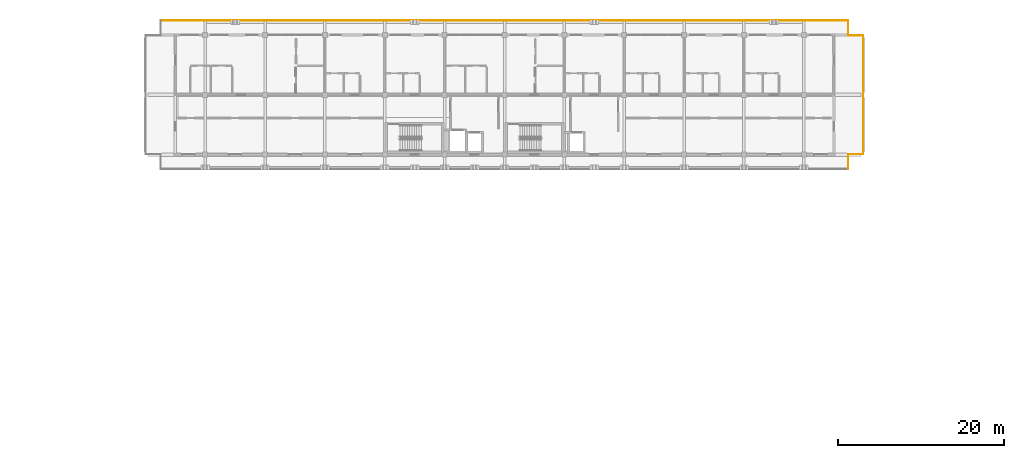
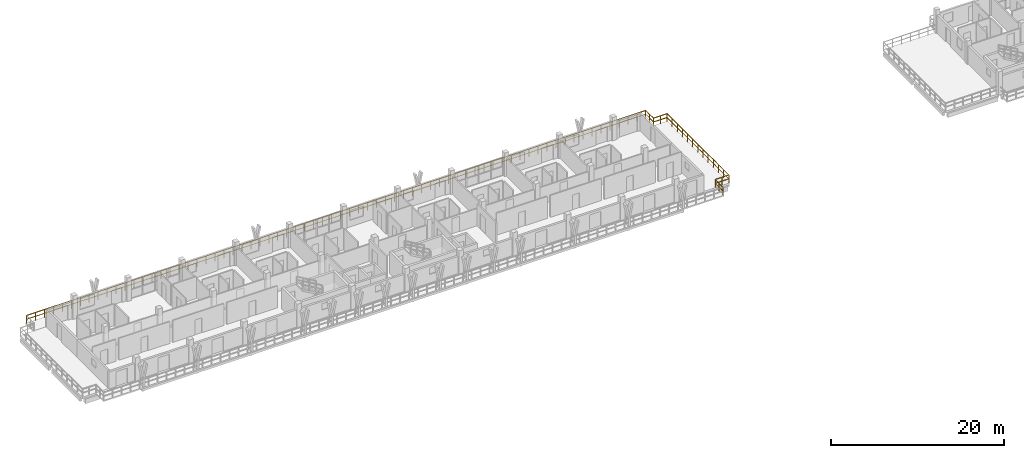
# One storey, part 53 of 60: 6 railings.
"""IFC4 building model written with IfcOpenShell, lengths in metres."""

import ifcopenshell
import ifcopenshell.guid

model = None  # the IFC model being written
_history = None  # IfcOwnerHistory: only IFC2X3 demands one
_inside = {}  # id of a spatial element -> (the spatial element, [elements in it])
_under = {}  # id of a project, library or spatial element -> (it, [spatial elements below it])
_declared = {}  # id of a project -> (the project, [libraries it declares])
_typed = {}  # id of a type object -> (the type object, [elements of that type])
_made_of = {}  # id of a material, layer set ... -> (it, [elements and type objects made of it])


def new_model(schema):
    """Start an empty IFC model of exactly this schema.

    Asked for "IFC4X3", IfcOpenShell would pick the latest addendum, in which some entities
    have other attributes; the version numbers below select the first issue.
    IFC2X3 requires an IfcOwnerHistory on every rooted entity: one is made here for all.
    """
    global model, _history
    if schema == "IFC4X3":
        model = ifcopenshell.file(schema_version=(4, 3, 0, 0))
    else:
        model = ifcopenshell.file(schema=schema)
    _inside.clear()
    _under.clear()
    _declared.clear()
    _typed.clear()
    _made_of.clear()
    _history = None
    if model.schema == "IFC2X3":
        org = make("IfcOrganization", Name="unknown")
        user = make(
            "IfcPersonAndOrganization",
            ThePerson=make("IfcPerson", FamilyName="unknown"),
            TheOrganization=org,
        )
        app = make(
            "IfcApplication",
            ApplicationDeveloper=org,
            Version="unknown",
            ApplicationFullName="unknown",
            ApplicationIdentifier="unknown",
        )
        _history = make(
            "IfcOwnerHistory",
            OwningUser=user,
            OwningApplication=app,
            ChangeAction="ADDED",
            CreationDate=0,
        )
    return model


def make(cls, **values):
    """One entity of the class cls with the attributes given. An attribute that is None is left unset."""
    return model.create_entity(
        cls, **{name: value for name, value in values.items() if value is not None}
    )


def rooted(cls, **values):
    """An entity with a GlobalId (a new one), such as an element, a storey or a relation."""
    return make(cls, GlobalId=ifcopenshell.guid.new(), OwnerHistory=_history, **values)


def si_unit(unit_type, name, prefix=None):
    """IfcSIUnit, for example si_unit("LENGTHUNIT", "METRE", prefix="MILLI")."""
    return make("IfcSIUnit", UnitType=unit_type, Prefix=prefix, Name=name)


def assignment(units):
    """IfcUnitAssignment: the units of a project."""
    return None if units is None else make("IfcUnitAssignment", Units=units)


def point(xyz):
    """IfcCartesianPoint."""
    return None if xyz is None else make("IfcCartesianPoint", Coordinates=xyz)


def direction(xyz):
    """IfcDirection."""
    return None if xyz is None else make("IfcDirection", DirectionRatios=xyz)


def frame(location, z_axis=None, x_axis=None):
    """IfcAxis2Placement3D, a coordinate frame: its origin and axes. An axis left out is left unset."""
    return make(
        "IfcAxis2Placement3D",
        Location=point(location),
        Axis=direction(z_axis),
        RefDirection=direction(x_axis),
    )


def frame_2d(location, x_axis=None):
    """IfcAxis2Placement2D, a coordinate frame in the plane: its origin and x axis."""
    return make(
        "IfcAxis2Placement2D", Location=point(location), RefDirection=direction(x_axis)
    )


def origin():
    """The frame at (0, 0, 0) with its axes left unset."""
    return frame((0.0, 0.0, 0.0))


def origin_2d():
    """The frame at (0, 0) in the plane with its x axis left unset."""
    return frame_2d((0.0, 0.0))


def place(relative_to, where):
    """IfcLocalPlacement: puts the frame where relative to a parent placement (None: the world)."""
    return make(
        "IfcLocalPlacement", PlacementRelTo=relative_to, RelativePlacement=where
    )


def context(
    kind, dimensions, precision=None, world=None, true_north=None, identifier=None
):
    """IfcGeometricRepresentationContext, for example the 3D "Model" context."""
    return make(
        "IfcGeometricRepresentationContext",
        ContextIdentifier=identifier,
        ContextType=kind,
        CoordinateSpaceDimension=dimensions,
        Precision=precision,
        WorldCoordinateSystem=world,
        TrueNorth=true_north,
    )


def subcontext(parent, identifier, kind, view, scale=None):
    """IfcGeometricRepresentationSubContext, for example "Body" below "Model"."""
    return make(
        "IfcGeometricRepresentationSubContext",
        ContextIdentifier=identifier,
        ContextType=kind,
        ParentContext=parent,
        TargetScale=scale,
        TargetView=view,
    )


def project(units=None, contexts=None):
    """IfcProject with its units and contexts."""
    return rooted(
        "IfcProject",
        Name="project",
        RepresentationContexts=contexts,
        UnitsInContext=assignment(units),
    )


def spatial(cls, under=None, at=None, **own):
    """A site, building, storey or space (cls), placed at a placement, below another one or the project."""
    s = rooted(cls, ObjectPlacement=at, **own)
    if under is not None:
        _under.setdefault(under.id(), (under, []))[1].append(s)
    return s


def profile(cls, at=None, kind="AREA", **sizes):
    """A parametric profile (cls). Its sizes go by their IFC names, for example OverallWidth=200.0."""
    return make(cls, ProfileType=kind, Position=at, **sizes)


def rectangle(**sizes):
    """IfcRectangleProfileDef."""
    return profile("IfcRectangleProfileDef", **sizes)


def extrude(swept, where, along, depth):
    """IfcExtrudedAreaSolid: the profile swept, set in the frame where, extruded along a direction by depth."""
    return make(
        "IfcExtrudedAreaSolid",
        SweptArea=swept,
        Position=where,
        ExtrudedDirection=direction(along),
        Depth=depth,
    )


def shape(context_of_items, identifier, shape_type, items):
    """IfcShapeRepresentation: the items that make up one representation, for example the "Body"."""
    return make(
        "IfcShapeRepresentation",
        ContextOfItems=context_of_items,
        RepresentationIdentifier=identifier,
        RepresentationType=shape_type,
        Items=items,
    )


def material(Name=None, Category=None):
    """IfcMaterial."""
    return make("IfcMaterial", Name=Name, Category=Category)


def made_of(thing, what):
    """Note that an element or type object is made of a material, layer set ...; save() writes the relation."""
    if what is not None:
        _made_of.setdefault(what.id(), (what, []))[1].append(thing)
    return thing


def type_object(cls, material=None, **own):
    """A type object (cls), such as IfcWallType, which elements share."""
    return made_of(rooted(cls, **own), material)


def element(
    cls,
    number,
    at=None,
    inside=None,
    cuts=None,
    type_object=None,
    material=None,
    context=None,
    identifier="Body",
    shape_type=None,
    held_by="IfcProductDefinitionShape",
    body=None,
    shapes=None,
    **own,
):
    """One element of the class cls, such as IfcWall. Its Tag is "e" and its number.

    at: its placement. inside: the storey or other place that contains it. cuts: it is an
    opening in that element (IfcRelVoidsElement). A single representation is given by context,
    identifier, shape_type and body (its items); several are given by shapes. held_by: the class
    of the entity that holds the representations. save() writes the other relations.
    """
    e = rooted(cls, Tag="e%d" % number, ObjectPlacement=at, **own)
    if body is not None:
        shapes = [shape(context, identifier, shape_type, body)]
    if shapes is not None:
        e.Representation = make(held_by, Representations=shapes)
    if inside is not None:
        _inside.setdefault(inside.id(), (inside, []))[1].append(e)
    if cuts is not None:
        rooted(
            "IfcRelVoidsElement", RelatingBuildingElement=cuts, RelatedOpeningElement=e
        )
    if type_object is not None:
        _typed.setdefault(type_object.id(), (type_object, []))[1].append(e)
    return made_of(e, material)


def aggregate(whole, parts):
    """IfcRelAggregates: a whole, such as a stair, and the parts it consists of."""
    return rooted("IfcRelAggregates", RelatingObject=whole, RelatedObjects=parts)


def save(model, path):
    """Write the relations noted so far, then the file.

    IfcRelAggregates (storeys below a building ...), IfcRelContainedInSpatialStructure (elements
    in a storey), IfcRelDefinesByType, IfcRelAssociatesMaterial and IfcRelDeclares: one each for
    every whole, place, type object, material and project.
    """
    for whole, parts in _under.values():
        aggregate(whole, parts)
    for where, things in _inside.values():
        rooted(
            "IfcRelContainedInSpatialStructure",
            RelatedElements=things,
            RelatingStructure=where,
        )
    for kind, things in _typed.values():
        rooted("IfcRelDefinesByType", RelatedObjects=things, RelatingType=kind)
    for what, things in _made_of.values():
        rooted("IfcRelAssociatesMaterial", RelatedObjects=things, RelatingMaterial=what)
    for by, libraries in _declared.values():
        rooted("IfcRelDeclares", RelatingContext=by, RelatedDefinitions=libraries)
    model.write(path)


model = new_model("IFC4")

# Units and contexts
model_context = context("Model", 3, precision=1e-05, world=origin(), true_north=direction((0.0, 1.0)))
body_context = subcontext(model_context, "Body", "Model", "MODEL_VIEW")
ifc_project = project(units=[si_unit("LENGTHUNIT", "METRE"), si_unit("AREAUNIT", "SQUARE_METRE"), si_unit("VOLUMEUNIT", "CUBIC_METRE"), si_unit("PLANEANGLEUNIT", "RADIAN"), si_unit("MASSUNIT", "GRAM", prefix="KILO")], contexts=[model_context])

# Site, building, storey
site_placement = place(None, origin())
site = spatial("IfcSite", under=ifc_project, at=site_placement, CompositionType="ELEMENT")
building_placement = place(site_placement, origin())
building = spatial("IfcBuilding", under=site, at=building_placement, Name="Suanplinth Sawtooth Commons", CompositionType="ELEMENT")
storey_placement = place(building_placement, frame((0.0, 0.0, 31.5)))
storey = spatial("IfcBuildingStorey", under=building, at=storey_placement, Name="L09", CompositionType="ELEMENT", Elevation=31.5)

# Railings
ifc_material = material(Name="Powder-coated galvanized steel", Category="steel")
railing_type = type_object("IfcRailingType", Name="GR-01", PredefinedType="BALUSTRADE", material=ifc_material)
railing_1_placement = place(storey_placement, frame((16.260009765625, 124.139892578125, 0.0)))
element("IfcRailing", 1, at=railing_1_placement, inside=storey, type_object=railing_type, Name="L09 Block A Perimeter Balustrade 5", PredefinedType="BALUSTRADE", context=body_context, shape_type="SweptSolid", body=[
    extrude(rectangle(XDim=0.048095703125, YDim=0.048095703125, at=origin_2d()), frame((0.0, 0.0, 1.09619140625), z_axis=(1.0, 0.0, 0.0), x_axis=(0.0, 1.0, 0.0)), (0.0, 0.0, 1.0), 82.679931640625),
    extrude(rectangle(XDim=0.03369140625, YDim=0.03369140625, at=origin_2d()), frame((0.0, 0.0, 0.56005859375), z_axis=(1.0, 0.0, 0.0), x_axis=(0.0, 1.0, 0.0)), (0.0, 0.0, 1.0), 82.679931640625),
    extrude(rectangle(XDim=0.0419921875, YDim=0.0419921875, at=origin_2d()), origin(), (0.0, 0.0, 1.0), 1.072021484375),
    extrude(rectangle(XDim=0.0419921875, YDim=0.0419921875, at=origin_2d()), frame((1.1982421875, 0.0, 0.0)), (0.0, 0.0, 1.0), 1.072021484375),
    extrude(rectangle(XDim=0.0419921875, YDim=0.0419921875, at=origin_2d()), frame((2.396484375, 0.0, 0.0)), (0.0, 0.0, 1.0), 1.072021484375),
    extrude(rectangle(XDim=0.0419921875, YDim=0.0419921875, at=origin_2d()), frame((3.5947265625, 0.0, 0.0)), (0.0, 0.0, 1.0), 1.072021484375),
    extrude(rectangle(XDim=0.0419921875, YDim=0.0419921875, at=origin_2d()), frame((4.79296875, 0.0, 0.0)), (0.0, 0.0, 1.0), 1.072021484375),
    extrude(rectangle(XDim=0.0419921875, YDim=0.0419921875, at=origin_2d()), frame((5.9912109375, 0.0, 0.0)), (0.0, 0.0, 1.0), 1.072021484375),
    extrude(rectangle(XDim=0.0419921875, YDim=0.0419921875, at=origin_2d()), frame((7.189453125, 0.0, 0.0)), (0.0, 0.0, 1.0), 1.072021484375),
    extrude(rectangle(XDim=0.0419921875, YDim=0.0419921875, at=origin_2d()), frame((8.387939453125, 0.0, 0.0)), (0.0, 0.0, 1.0), 1.072021484375),
    extrude(rectangle(XDim=0.0419921875, YDim=0.0419921875, at=origin_2d()), frame((9.586181640625, 0.0, 0.0)), (0.0, 0.0, 1.0), 1.072021484375),
    extrude(rectangle(XDim=0.0419921875, YDim=0.0419921875, at=origin_2d()), frame((10.784423828125, 0.0, 0.0)), (0.0, 0.0, 1.0), 1.072021484375),
    extrude(rectangle(XDim=0.0419921875, YDim=0.0419921875, at=origin_2d()), frame((11.982666015625, 0.0, 0.0)), (0.0, 0.0, 1.0), 1.072021484375),
    extrude(rectangle(XDim=0.0419921875, YDim=0.0419921875, at=origin_2d()), frame((13.180908203125, 0.0, 0.0)), (0.0, 0.0, 1.0), 1.072021484375),
    extrude(rectangle(XDim=0.0419921875, YDim=0.0419921875, at=origin_2d()), frame((14.379150390625, 0.0, 0.0)), (0.0, 0.0, 1.0), 1.072021484375),
    extrude(rectangle(XDim=0.0419921875, YDim=0.0419921875, at=origin_2d()), frame((15.577392578125, 0.0, 0.0)), (0.0, 0.0, 1.0), 1.072021484375),
    extrude(rectangle(XDim=0.0419921875, YDim=0.0419921875, at=origin_2d()), frame((16.775634765625, 0.0, 0.0)), (0.0, 0.0, 1.0), 1.072021484375),
    extrude(rectangle(XDim=0.0419921875, YDim=0.0419921875, at=origin_2d()), frame((17.973876953125, 0.0, 0.0)), (0.0, 0.0, 1.0), 1.072021484375),
    extrude(rectangle(XDim=0.0419921875, YDim=0.0419921875, at=origin_2d()), frame((19.172119140625, 0.0, 0.0)), (0.0, 0.0, 1.0), 1.072021484375),
    extrude(rectangle(XDim=0.0419921875, YDim=0.0419921875, at=origin_2d()), frame((20.370361328125, 0.0, 0.0)), (0.0, 0.0, 1.0), 1.072021484375),
    extrude(rectangle(XDim=0.0419921875, YDim=0.0419921875, at=origin_2d()), frame((21.568603515625, 0.0, 0.0)), (0.0, 0.0, 1.0), 1.072021484375),
    extrude(rectangle(XDim=0.0419921875, YDim=0.0419921875, at=origin_2d()), frame((22.766845703125, 0.0, 0.0)), (0.0, 0.0, 1.0), 1.072021484375),
    extrude(rectangle(XDim=0.0419921875, YDim=0.0419921875, at=origin_2d()), frame((23.965087890625, 0.0, 0.0)), (0.0, 0.0, 1.0), 1.072021484375),
    extrude(rectangle(XDim=0.0419921875, YDim=0.0419921875, at=origin_2d()), frame((25.16357421875, 0.0, 0.0)), (0.0, 0.0, 1.0), 1.072021484375),
    extrude(rectangle(XDim=0.0419921875, YDim=0.0419921875, at=origin_2d()), frame((26.36181640625, 0.0, 0.0)), (0.0, 0.0, 1.0), 1.072021484375),
    extrude(rectangle(XDim=0.0419921875, YDim=0.0419921875, at=origin_2d()), frame((27.56005859375, 0.0, 0.0)), (0.0, 0.0, 1.0), 1.072021484375),
    extrude(rectangle(XDim=0.0419921875, YDim=0.0419921875, at=origin_2d()), frame((28.75830078125, 0.0, 0.0)), (0.0, 0.0, 1.0), 1.072021484375),
    extrude(rectangle(XDim=0.0419921875, YDim=0.0419921875, at=origin_2d()), frame((29.95654296875, 0.0, 0.0)), (0.0, 0.0, 1.0), 1.072021484375),
    extrude(rectangle(XDim=0.0419921875, YDim=0.0419921875, at=origin_2d()), frame((31.15478515625, 0.0, 0.0)), (0.0, 0.0, 1.0), 1.072021484375),
    extrude(rectangle(XDim=0.0419921875, YDim=0.0419921875, at=origin_2d()), frame((32.35302734375, 0.0, 0.0)), (0.0, 0.0, 1.0), 1.072021484375),
    extrude(rectangle(XDim=0.0419921875, YDim=0.0419921875, at=origin_2d()), frame((33.55126953125, 0.0, 0.0)), (0.0, 0.0, 1.0), 1.072021484375),
    extrude(rectangle(XDim=0.0419921875, YDim=0.0419921875, at=origin_2d()), frame((34.74951171875, 0.0, 0.0)), (0.0, 0.0, 1.0), 1.072021484375),
    extrude(rectangle(XDim=0.0419921875, YDim=0.0419921875, at=origin_2d()), frame((35.94775390625, 0.0, 0.0)), (0.0, 0.0, 1.0), 1.072021484375),
    extrude(rectangle(XDim=0.0419921875, YDim=0.0419921875, at=origin_2d()), frame((37.14599609375, 0.0, 0.0)), (0.0, 0.0, 1.0), 1.072021484375),
    extrude(rectangle(XDim=0.0419921875, YDim=0.0419921875, at=origin_2d()), frame((38.34423828125, 0.0, 0.0)), (0.0, 0.0, 1.0), 1.072021484375),
    extrude(rectangle(XDim=0.0419921875, YDim=0.0419921875, at=origin_2d()), frame((39.54248046875, 0.0, 0.0)), (0.0, 0.0, 1.0), 1.072021484375),
    extrude(rectangle(XDim=0.0419921875, YDim=0.0419921875, at=origin_2d()), frame((40.74072265625, 0.0, 0.0)), (0.0, 0.0, 1.0), 1.072021484375),
    extrude(rectangle(XDim=0.0419921875, YDim=0.0419921875, at=origin_2d()), frame((41.939208984375, 0.0, 0.0)), (0.0, 0.0, 1.0), 1.072021484375),
    extrude(rectangle(XDim=0.0419921875, YDim=0.0419921875, at=origin_2d()), frame((43.137451171875, 0.0, 0.0)), (0.0, 0.0, 1.0), 1.072021484375),
    extrude(rectangle(XDim=0.0419921875, YDim=0.0419921875, at=origin_2d()), frame((44.335693359375, 0.0, 0.0)), (0.0, 0.0, 1.0), 1.072021484375),
    extrude(rectangle(XDim=0.0419921875, YDim=0.0419921875, at=origin_2d()), frame((45.533935546875, 0.0, 0.0)), (0.0, 0.0, 1.0), 1.072021484375),
    extrude(rectangle(XDim=0.0419921875, YDim=0.0419921875, at=origin_2d()), frame((46.732177734375, 0.0, 0.0)), (0.0, 0.0, 1.0), 1.072021484375),
    extrude(rectangle(XDim=0.0419921875, YDim=0.0419921875, at=origin_2d()), frame((47.930419921875, 0.0, 0.0)), (0.0, 0.0, 1.0), 1.072021484375),
    extrude(rectangle(XDim=0.0419921875, YDim=0.0419921875, at=origin_2d()), frame((49.128662109375, 0.0, 0.0)), (0.0, 0.0, 1.0), 1.072021484375),
    extrude(rectangle(XDim=0.0419921875, YDim=0.0419921875, at=origin_2d()), frame((50.326904296875, 0.0, 0.0)), (0.0, 0.0, 1.0), 1.072021484375),
    extrude(rectangle(XDim=0.0419921875, YDim=0.0419921875, at=origin_2d()), frame((51.525146484375, 0.0, 0.0)), (0.0, 0.0, 1.0), 1.072021484375),
    extrude(rectangle(XDim=0.0419921875, YDim=0.0419921875, at=origin_2d()), frame((52.723388671875, 0.0, 0.0)), (0.0, 0.0, 1.0), 1.072021484375),
    extrude(rectangle(XDim=0.0419921875, YDim=0.0419921875, at=origin_2d()), frame((53.921630859375, 0.0, 0.0)), (0.0, 0.0, 1.0), 1.072021484375),
    extrude(rectangle(XDim=0.0419921875, YDim=0.0419921875, at=origin_2d()), frame((55.119873046875, 0.0, 0.0)), (0.0, 0.0, 1.0), 1.072021484375),
    extrude(rectangle(XDim=0.0419921875, YDim=0.0419921875, at=origin_2d()), frame((56.318115234375, 0.0, 0.0)), (0.0, 0.0, 1.0), 1.072021484375),
    extrude(rectangle(XDim=0.0419921875, YDim=0.0419921875, at=origin_2d()), frame((57.516357421875, 0.0, 0.0)), (0.0, 0.0, 1.0), 1.072021484375),
    extrude(rectangle(XDim=0.0419921875, YDim=0.0419921875, at=origin_2d()), frame((58.71484375, 0.0, 0.0)), (0.0, 0.0, 1.0), 1.072021484375),
    extrude(rectangle(XDim=0.0419921875, YDim=0.0419921875, at=origin_2d()), frame((59.9130859375, 0.0, 0.0)), (0.0, 0.0, 1.0), 1.072021484375),
    extrude(rectangle(XDim=0.0419921875, YDim=0.0419921875, at=origin_2d()), frame((61.111328125, 0.0, 0.0)), (0.0, 0.0, 1.0), 1.072021484375),
    extrude(rectangle(XDim=0.0419921875, YDim=0.0419921875, at=origin_2d()), frame((62.3095703125, 0.0, 0.0)), (0.0, 0.0, 1.0), 1.072021484375),
    extrude(rectangle(XDim=0.0419921875, YDim=0.0419921875, at=origin_2d()), frame((63.5078125, 0.0, 0.0)), (0.0, 0.0, 1.0), 1.072021484375),
    extrude(rectangle(XDim=0.0419921875, YDim=0.0419921875, at=origin_2d()), frame((64.7060546875, 0.0, 0.0)), (0.0, 0.0, 1.0), 1.072021484375),
    extrude(rectangle(XDim=0.0419921875, YDim=0.0419921875, at=origin_2d()), frame((65.904296875, 0.0, 0.0)), (0.0, 0.0, 1.0), 1.072021484375),
    extrude(rectangle(XDim=0.0419921875, YDim=0.0419921875, at=origin_2d()), frame((67.1025390625, 0.0, 0.0)), (0.0, 0.0, 1.0), 1.072021484375),
    extrude(rectangle(XDim=0.0419921875, YDim=0.0419921875, at=origin_2d()), frame((68.30078125, 0.0, 0.0)), (0.0, 0.0, 1.0), 1.072021484375),
    extrude(rectangle(XDim=0.0419921875, YDim=0.0419921875, at=origin_2d()), frame((69.4990234375, 0.0, 0.0)), (0.0, 0.0, 1.0), 1.072021484375),
    extrude(rectangle(XDim=0.0419921875, YDim=0.0419921875, at=origin_2d()), frame((70.697265625, 0.0, 0.0)), (0.0, 0.0, 1.0), 1.072021484375),
    extrude(rectangle(XDim=0.0419921875, YDim=0.0419921875, at=origin_2d()), frame((71.8955078125, 0.0, 0.0)), (0.0, 0.0, 1.0), 1.072021484375),
    extrude(rectangle(XDim=0.0419921875, YDim=0.0419921875, at=origin_2d()), frame((73.09375, 0.0, 0.0)), (0.0, 0.0, 1.0), 1.072021484375),
    extrude(rectangle(XDim=0.0419921875, YDim=0.0419921875, at=origin_2d()), frame((74.2919921875, 0.0, 0.0)), (0.0, 0.0, 1.0), 1.072021484375),
    extrude(rectangle(XDim=0.0419921875, YDim=0.0419921875, at=origin_2d()), frame((75.490478515625, 0.0, 0.0)), (0.0, 0.0, 1.0), 1.072021484375),
    extrude(rectangle(XDim=0.0419921875, YDim=0.0419921875, at=origin_2d()), frame((76.688720703125, 0.0, 0.0)), (0.0, 0.0, 1.0), 1.072021484375),
    extrude(rectangle(XDim=0.0419921875, YDim=0.0419921875, at=origin_2d()), frame((77.886962890625, 0.0, 0.0)), (0.0, 0.0, 1.0), 1.072021484375),
    extrude(rectangle(XDim=0.0419921875, YDim=0.0419921875, at=origin_2d()), frame((79.085205078125, 0.0, 0.0)), (0.0, 0.0, 1.0), 1.072021484375),
    extrude(rectangle(XDim=0.0419921875, YDim=0.0419921875, at=origin_2d()), frame((80.283447265625, 0.0, 0.0)), (0.0, 0.0, 1.0), 1.072021484375),
    extrude(rectangle(XDim=0.0419921875, YDim=0.0419921875, at=origin_2d()), frame((81.481689453125, 0.0, 0.0)), (0.0, 0.0, 1.0), 1.072021484375),
    extrude(rectangle(XDim=0.0419921875, YDim=0.0419921875, at=origin_2d()), frame((82.679931640625, 0.0, 0.0)), (0.0, 0.0, 1.0), 1.072021484375),
])
railing_2_placement = place(storey_placement, frame((98.93994140625, 124.139892578125, 0.0)))
element("IfcRailing", 2, at=railing_2_placement, inside=storey, type_object=railing_type, Name="L09 Block A Perimeter Balustrade 6", PredefinedType="BALUSTRADE", context=body_context, shape_type="SweptSolid", body=[
    extrude(rectangle(XDim=0.048095703125, YDim=0.048095703125, at=origin_2d()), frame((0.0, 0.0, 1.09619140625), z_axis=(0.0, -1.0, 0.0), x_axis=(1.0, 0.0, 0.0)), (0.0, 0.0, 1.0), 1.7998046875),
    extrude(rectangle(XDim=0.03369140625, YDim=0.03369140625, at=origin_2d()), frame((0.0, 0.0, 0.56005859375), z_axis=(0.0, -1.0, 0.0), x_axis=(1.0, 0.0, 0.0)), (0.0, 0.0, 1.0), 1.7998046875),
    extrude(rectangle(XDim=0.0419921875, YDim=0.0419921875, at=origin_2d()), origin(), (0.0, 0.0, 1.0), 1.072021484375),
    extrude(rectangle(XDim=0.0419921875, YDim=0.0419921875, at=origin_2d()), frame((0.0, -0.89990234375, 0.0)), (0.0, 0.0, 1.0), 1.072021484375),
    extrude(rectangle(XDim=0.0419921875, YDim=0.0419921875, at=origin_2d()), frame((0.0, -1.7998046875, 0.0)), (0.0, 0.0, 1.0), 1.072021484375),
])
railing_3_placement = place(storey_placement, frame((98.93994140625, 122.340087890625, 0.0)))
element("IfcRailing", 3, at=railing_3_placement, inside=storey, type_object=railing_type, Name="L09 Block A Perimeter Balustrade 7", PredefinedType="BALUSTRADE", context=body_context, shape_type="SweptSolid", body=[
    extrude(rectangle(XDim=0.048095703125, YDim=0.048095703125, at=origin_2d()), frame((0.0, 0.0, 1.09619140625), z_axis=(1.0, 0.0, 0.0), x_axis=(0.0, 1.0, 0.0)), (0.0, 0.0, 1.0), 1.800048828125),
    extrude(rectangle(XDim=0.03369140625, YDim=0.03369140625, at=origin_2d()), frame((0.0, 0.0, 0.56005859375), z_axis=(1.0, 0.0, 0.0), x_axis=(0.0, 1.0, 0.0)), (0.0, 0.0, 1.0), 1.800048828125),
    extrude(rectangle(XDim=0.0419921875, YDim=0.0419921875, at=origin_2d()), origin(), (0.0, 0.0, 1.0), 1.072021484375),
    extrude(rectangle(XDim=0.0419921875, YDim=0.0419921875, at=origin_2d()), frame((0.89990234375, 0.0, 0.0)), (0.0, 0.0, 1.0), 1.072021484375),
    extrude(rectangle(XDim=0.0419921875, YDim=0.0419921875, at=origin_2d()), frame((1.800048828125, 0.0, 0.0)), (0.0, 0.0, 1.0), 1.072021484375),
])
railing_4_placement = place(storey_placement, frame((100.739990234375, 122.340087890625, 0.0)))
element("IfcRailing", 4, at=railing_4_placement, inside=storey, type_object=railing_type, Name="L09 Block A Perimeter Balustrade 8", PredefinedType="BALUSTRADE", context=body_context, shape_type="SweptSolid", body=[
    extrude(rectangle(XDim=0.048095703125, YDim=0.048095703125, at=origin_2d()), frame((0.0, 0.0, 1.09619140625), z_axis=(0.0, -1.0, 0.0), x_axis=(1.0, 0.0, 0.0)), (0.0, 0.0, 1.0), 14.280029296875),
    extrude(rectangle(XDim=0.03369140625, YDim=0.03369140625, at=origin_2d()), frame((0.0, 0.0, 0.56005859375), z_axis=(0.0, -1.0, 0.0), x_axis=(1.0, 0.0, 0.0)), (0.0, 0.0, 1.0), 14.280029296875),
    extrude(rectangle(XDim=0.0419921875, YDim=0.0419921875, at=origin_2d()), origin(), (0.0, 0.0, 1.0), 1.072021484375),
    extrude(rectangle(XDim=0.0419921875, YDim=0.0419921875, at=origin_2d()), frame((0.0, -1.18994140625, 0.0)), (0.0, 0.0, 1.0), 1.072021484375),
    extrude(rectangle(XDim=0.0419921875, YDim=0.0419921875, at=origin_2d()), frame((0.0, -2.3798828125, 0.0)), (0.0, 0.0, 1.0), 1.072021484375),
    extrude(rectangle(XDim=0.0419921875, YDim=0.0419921875, at=origin_2d()), frame((0.0, -3.570068359375, 0.0)), (0.0, 0.0, 1.0), 1.072021484375),
    extrude(rectangle(XDim=0.0419921875, YDim=0.0419921875, at=origin_2d()), frame((0.0, -4.760009765625, 0.0)), (0.0, 0.0, 1.0), 1.072021484375),
    extrude(rectangle(XDim=0.0419921875, YDim=0.0419921875, at=origin_2d()), frame((0.0, -5.949951171875, 0.0)), (0.0, 0.0, 1.0), 1.072021484375),
    extrude(rectangle(XDim=0.0419921875, YDim=0.0419921875, at=origin_2d()), frame((0.0, -7.14013671875, 0.0)), (0.0, 0.0, 1.0), 1.072021484375),
    extrude(rectangle(XDim=0.0419921875, YDim=0.0419921875, at=origin_2d()), frame((0.0, -8.330078125, 0.0)), (0.0, 0.0, 1.0), 1.072021484375),
    extrude(rectangle(XDim=0.0419921875, YDim=0.0419921875, at=origin_2d()), frame((0.0, -9.52001953125, 0.0)), (0.0, 0.0, 1.0), 1.072021484375),
    extrude(rectangle(XDim=0.0419921875, YDim=0.0419921875, at=origin_2d()), frame((0.0, -10.7099609375, 0.0)), (0.0, 0.0, 1.0), 1.072021484375),
    extrude(rectangle(XDim=0.0419921875, YDim=0.0419921875, at=origin_2d()), frame((0.0, -11.89990234375, 0.0)), (0.0, 0.0, 1.0), 1.072021484375),
    extrude(rectangle(XDim=0.0419921875, YDim=0.0419921875, at=origin_2d()), frame((0.0, -13.090087890625, 0.0)), (0.0, 0.0, 1.0), 1.072021484375),
    extrude(rectangle(XDim=0.0419921875, YDim=0.0419921875, at=origin_2d()), frame((0.0, -14.280029296875, 0.0)), (0.0, 0.0, 1.0), 1.072021484375),
])
railing_5_placement = place(storey_placement, frame((100.739990234375, 108.06005859375, 0.0)))
element("IfcRailing", 5, at=railing_5_placement, inside=storey, type_object=railing_type, Name="L09 Block A Perimeter Balustrade 9", PredefinedType="BALUSTRADE", context=body_context, shape_type="SweptSolid", body=[
    extrude(rectangle(XDim=0.048095703125, YDim=0.048095703125, at=origin_2d()), frame((0.0, 0.0, 1.09619140625), z_axis=(-1.0, 0.0, 0.0), x_axis=(0.0, -1.0, 0.0)), (0.0, 0.0, 1.0), 1.800048828125),
    extrude(rectangle(XDim=0.03369140625, YDim=0.03369140625, at=origin_2d()), frame((0.0, 0.0, 0.56005859375), z_axis=(-1.0, 0.0, 0.0), x_axis=(0.0, -1.0, 0.0)), (0.0, 0.0, 1.0), 1.800048828125),
    extrude(rectangle(XDim=0.0419921875, YDim=0.0419921875, at=origin_2d()), origin(), (0.0, 0.0, 1.0), 1.072021484375),
    extrude(rectangle(XDim=0.0419921875, YDim=0.0419921875, at=origin_2d()), frame((-0.89990234375, 0.0, 0.0)), (0.0, 0.0, 1.0), 1.072021484375),
    extrude(rectangle(XDim=0.0419921875, YDim=0.0419921875, at=origin_2d()), frame((-1.800048828125, 0.0, 0.0)), (0.0, 0.0, 1.0), 1.072021484375),
])
railing_6_placement = place(storey_placement, frame((98.93994140625, 108.06005859375, 0.0)))
element("IfcRailing", 6, at=railing_6_placement, inside=storey, type_object=railing_type, Name="L09 Block A Perimeter Balustrade 10", PredefinedType="BALUSTRADE", context=body_context, shape_type="SweptSolid", body=[
    extrude(rectangle(XDim=0.048095703125, YDim=0.048095703125, at=origin_2d()), frame((0.0, 0.0, 1.09619140625), z_axis=(0.0, -1.0, 0.0), x_axis=(1.0, 0.0, 0.0)), (0.0, 0.0, 1.0), 1.800048828125),
    extrude(rectangle(XDim=0.03369140625, YDim=0.03369140625, at=origin_2d()), frame((0.0, 0.0, 0.56005859375), z_axis=(0.0, -1.0, 0.0), x_axis=(1.0, 0.0, 0.0)), (0.0, 0.0, 1.0), 1.800048828125),
    extrude(rectangle(XDim=0.0419921875, YDim=0.0419921875, at=origin_2d()), origin(), (0.0, 0.0, 1.0), 1.072021484375),
    extrude(rectangle(XDim=0.0419921875, YDim=0.0419921875, at=origin_2d()), frame((0.0, -0.89990234375, 0.0)), (0.0, 0.0, 1.0), 1.072021484375),
    extrude(rectangle(XDim=0.0419921875, YDim=0.0419921875, at=origin_2d()), frame((0.0, -1.800048828125, 0.0)), (0.0, 0.0, 1.0), 1.072021484375),
])

save(model, "model.ifc")
